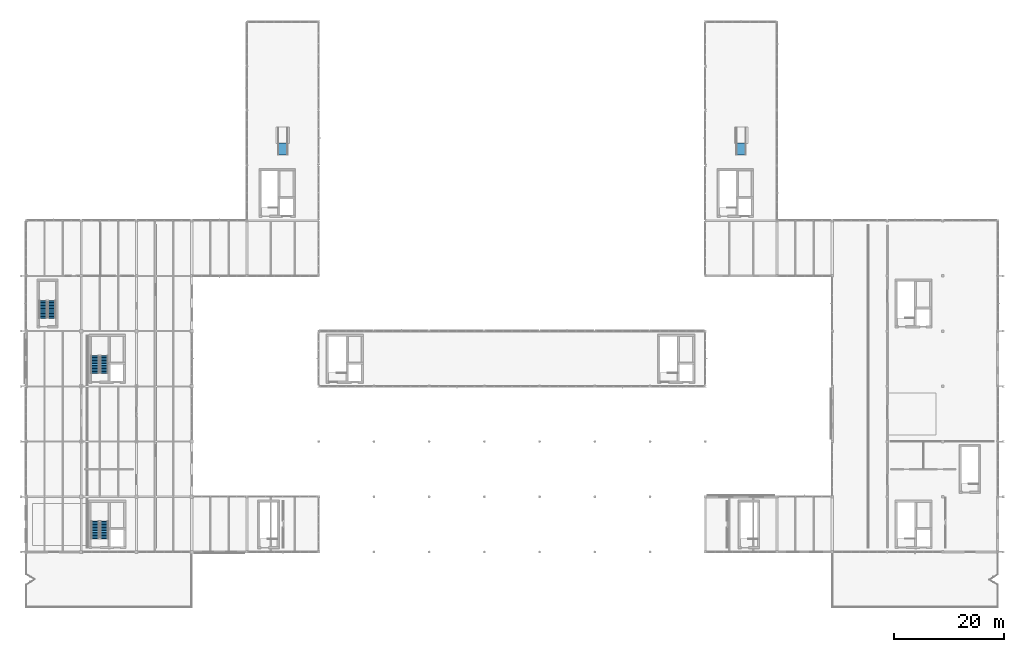
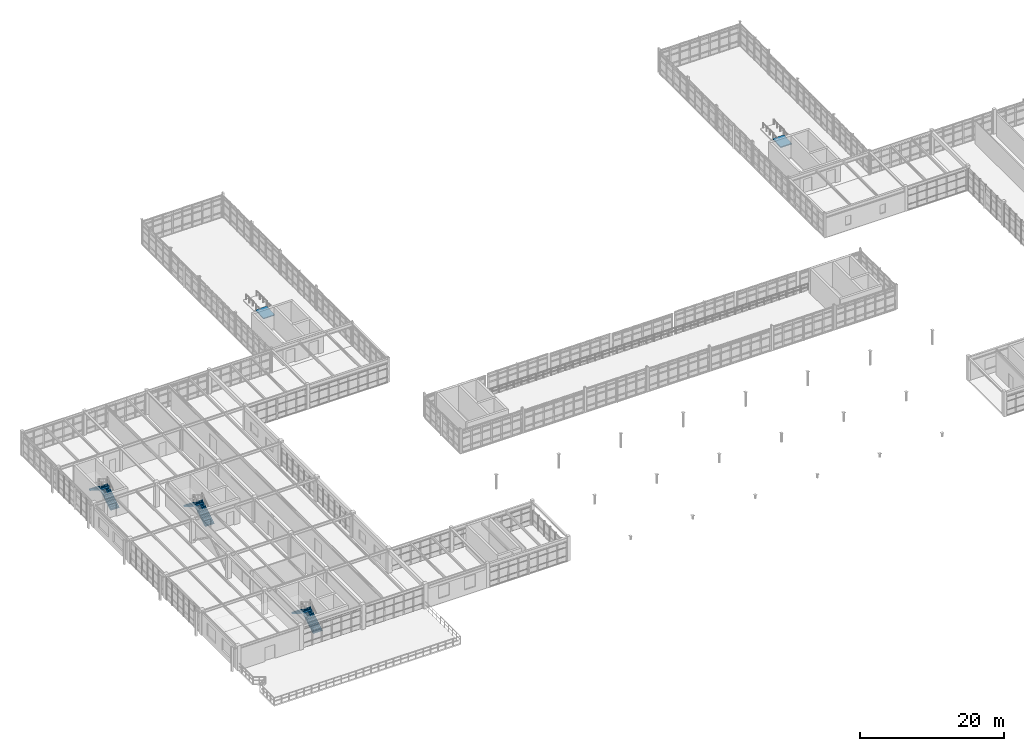
# One storey, part 111 of 122: 6 stair flights, 2 ramp flights, 5 elements without a shape of their own.
"""IFC4 building model written with IfcOpenShell, lengths in metres."""

from ifc_helpers import new_model, si_unit, direction, frame, origin, place, context, subcontext, project, spatial, polyline, outline, extrude, material, layer, layer_set, type_object, element, aggregate, save


model = new_model("IFC4")

# Units and contexts
model_context = context("Model", 3, precision=1e-05, world=origin(), true_north=direction((0.0, 1.0)))
body_context = subcontext(model_context, "Body", "Model", "MODEL_VIEW")
ifc_project = project(units=[si_unit("LENGTHUNIT", "METRE"), si_unit("AREAUNIT", "SQUARE_METRE"), si_unit("VOLUMEUNIT", "CUBIC_METRE"), si_unit("PLANEANGLEUNIT", "RADIAN"), si_unit("MASSUNIT", "GRAM", prefix="KILO"), si_unit("THERMODYNAMICTEMPERATUREUNIT", "KELVIN"), si_unit("POWERUNIT", "WATT")], contexts=[model_context])

# Site, building, storey
site_placement = place(None, origin())
site = spatial("IfcSite", under=ifc_project, at=site_placement, CompositionType="ELEMENT")
building_placement = place(site_placement, origin())
building = spatial("IfcBuilding", under=site, at=building_placement, Name="Korenveer Ferry Terminal", CompositionType="ELEMENT")
storey_placement = place(building_placement, frame((0.0, 0.0, 10.199951171875)))
storey = spatial("IfcBuildingStorey", under=building, at=storey_placement, Name="L02", CompositionType="ELEMENT", Elevation=10.199951171875)

# Stair, stair flights
ifc_material_1 = material(Name="Concrete C40/50", Category="concrete")
stair_type_1 = type_object("IfcStairType", Name="INT-ST-03", PredefinedType="HALF_TURN_STAIR", material=ifc_material_1)
stair_1_placement = place(storey_placement, frame((14.175048828125, 22.449951171875, 0.0)))
stair_1 = element("IfcStair", 1, at=stair_1_placement, inside=storey, type_object=stair_type_1, Name="L02 West Firefighting Core K1", PredefinedType="HALF_TURN_STAIR")
stair_flight_type_1 = type_object("IfcStairFlightType", Name="INT-SF-03", PredefinedType="STRAIGHT", material=ifc_material_1)
stair_flight_1_placement = place(storey_placement, frame((14.175048828125, 22.449951171875, 0.0), z_axis=(0.0, 0.0, 1.0), x_axis=(0.0, 1.0, 0.0)))
stair_flight_1 = element("IfcStairFlight", 2, at=stair_flight_1_placement, type_object=stair_flight_type_1, Name="ST01 flight 1", NumberOfRisers=12, NumberOfTreads=11, PredefinedType="STRAIGHT", RiserHeight=0.175, TreadLength=0.28, context=body_context, shape_type="SweptSolid", body=[
    extrude(outline(polyline([(-0.080078125, 0.0), (0.0, 0.0), (0.0, 0.175048828125), (0.280029296875, 0.175048828125), (0.280029296875, 0.35009765625), (0.56005859375, 0.35009765625), (0.56005859375, 0.52490234375), (0.840087890625, 0.52490234375), (0.840087890625, 0.699951171875), (1.1201171875, 0.699951171875), (1.1201171875, 0.875), (1.39990234375, 0.875), (1.39990234375, 1.050048828125), (1.679931640625, 1.050048828125), (1.679931640625, 1.22509765625), (1.9599609375, 1.22509765625), (1.9599609375, 1.39990234375), (2.239990234375, 1.39990234375), (2.239990234375, 1.574951171875), (2.52001953125, 1.574951171875), (2.52001953125, 1.75), (2.800048828125, 1.75), (2.800048828125, 1.925048828125), (3.080078125, 1.925048828125), (3.080078125, 2.10009765625), (3.14013671875, 2.10009765625), (3.14013671875, 1.9501953125), (3.080078125, 1.748291015625), (0.28271484375, 0.0), (0.0, -0.10009765625), (-0.080078125, -0.10009765625), (-0.080078125, 0.0)])), frame((0.0, 0.72509765625, 0.0), z_axis=(0.0, -1.0, 0.0), x_axis=(1.0, 0.0, 0.0)), (0.0, 0.0, 1.0), 1.449951171875),
])
stair_flight_2_placement = place(storey_placement, frame((12.52490234375, 25.530029296875, 2.10009765625), z_axis=(0.0, 0.0, 1.0), x_axis=(0.0, -1.0, 0.0)))
stair_flight_2 = element("IfcStairFlight", 3, at=stair_flight_2_placement, type_object=stair_flight_type_1, Name="ST01 flight 2", NumberOfRisers=12, NumberOfTreads=11, PredefinedType="STRAIGHT", RiserHeight=0.175, TreadLength=0.28, context=body_context, shape_type="SweptSolid", body=[
    extrude(outline(polyline([(-0.080078125, 0.0), (0.0, 0.0), (0.0, 0.175048828125), (0.280029296875, 0.175048828125), (0.280029296875, 0.35009765625), (0.56005859375, 0.35009765625), (0.56005859375, 0.52490234375), (0.840087890625, 0.52490234375), (0.840087890625, 0.699951171875), (1.1201171875, 0.699951171875), (1.1201171875, 0.875), (1.39990234375, 0.875), (1.39990234375, 1.050048828125), (1.679931640625, 1.050048828125), (1.679931640625, 1.22509765625), (1.9599609375, 1.22509765625), (1.9599609375, 1.39990234375), (2.239990234375, 1.39990234375), (2.239990234375, 1.574951171875), (2.52001953125, 1.574951171875), (2.52001953125, 1.75), (2.800048828125, 1.75), (2.800048828125, 1.925048828125), (3.080078125, 1.925048828125), (3.080078125, 2.10009765625), (3.14013671875, 2.10009765625), (3.14013671875, 1.9501953125), (3.080078125, 1.748291015625), (0.28271484375, 0.0), (0.0, -0.10009765625), (-0.080078125, -0.10009765625), (-0.080078125, 0.0)])), frame((0.0, 0.72509765625, 0.0), z_axis=(0.0, -1.0, 0.0), x_axis=(1.0, 0.0, 0.0)), (0.0, 0.0, 1.0), 1.449951171875),
])
aggregate(stair_1, [stair_flight_1, stair_flight_2])

stair_2_placement = place(storey_placement, frame((14.135009765625, 52.409912109375, 0.0)))
stair_2 = element("IfcStair", 4, at=stair_2_placement, inside=storey, type_object=stair_type_1, Name="L02 West Operations Core K2", PredefinedType="HALF_TURN_STAIR")
stair_flight_3_placement = place(storey_placement, frame((14.135009765625, 52.409912109375, 0.0), z_axis=(0.0, 0.0, 1.0), x_axis=(0.0, 1.0, 0.0)))
stair_flight_3 = element("IfcStairFlight", 5, at=stair_flight_3_placement, type_object=stair_flight_type_1, Name="ST02 flight 1", NumberOfRisers=12, NumberOfTreads=11, PredefinedType="STRAIGHT", RiserHeight=0.175, TreadLength=0.28, context=body_context, shape_type="SweptSolid", body=[
    extrude(outline(polyline([(-0.080078125, 0.0), (0.0, 0.0), (0.0, 0.175048828125), (0.280029296875, 0.175048828125), (0.280029296875, 0.35009765625), (0.56005859375, 0.35009765625), (0.56005859375, 0.52490234375), (0.840087890625, 0.52490234375), (0.840087890625, 0.699951171875), (1.1201171875, 0.699951171875), (1.1201171875, 0.875), (1.39990234375, 0.875), (1.39990234375, 1.050048828125), (1.679931640625, 1.050048828125), (1.679931640625, 1.22509765625), (1.9599609375, 1.22509765625), (1.9599609375, 1.39990234375), (2.239990234375, 1.39990234375), (2.239990234375, 1.574951171875), (2.52001953125, 1.574951171875), (2.52001953125, 1.75), (2.800048828125, 1.75), (2.800048828125, 1.925048828125), (3.080078125, 1.925048828125), (3.080078125, 2.10009765625), (3.14013671875, 2.10009765625), (3.14013671875, 1.9501953125), (3.080078125, 1.748291015625), (0.28271484375, 0.0), (0.0, -0.10009765625), (-0.080078125, -0.10009765625), (-0.080078125, 0.0)])), frame((0.0, 0.72509765625, 0.0), z_axis=(0.0, -1.0, 0.0), x_axis=(1.0, 0.0, 0.0)), (0.0, 0.0, 1.0), 1.449951171875),
])
stair_flight_4_placement = place(storey_placement, frame((12.485107421875, 55.489990234375, 2.10009765625), z_axis=(0.0, 0.0, 1.0), x_axis=(0.0, -1.0, 0.0)))
stair_flight_4 = element("IfcStairFlight", 6, at=stair_flight_4_placement, type_object=stair_flight_type_1, Name="ST02 flight 2", NumberOfRisers=12, NumberOfTreads=11, PredefinedType="STRAIGHT", RiserHeight=0.175, TreadLength=0.28, context=body_context, shape_type="SweptSolid", body=[
    extrude(outline(polyline([(-0.080078125, 0.0), (0.0, 0.0), (0.0, 0.175048828125), (0.280029296875, 0.175048828125), (0.280029296875, 0.35009765625), (0.56005859375, 0.35009765625), (0.56005859375, 0.52490234375), (0.840087890625, 0.52490234375), (0.840087890625, 0.699951171875), (1.1201171875, 0.699951171875), (1.1201171875, 0.875), (1.39990234375, 0.875), (1.39990234375, 1.050048828125), (1.679931640625, 1.050048828125), (1.679931640625, 1.22509765625), (1.9599609375, 1.22509765625), (1.9599609375, 1.39990234375), (2.239990234375, 1.39990234375), (2.239990234375, 1.574951171875), (2.52001953125, 1.574951171875), (2.52001953125, 1.75), (2.800048828125, 1.75), (2.800048828125, 1.925048828125), (3.080078125, 1.925048828125), (3.080078125, 2.10009765625), (3.14013671875, 2.10009765625), (3.14013671875, 1.9501953125), (3.080078125, 1.748291015625), (0.28271484375, 0.0), (0.0, -0.10009765625), (-0.080078125, -0.10009765625), (-0.080078125, 0.0)])), frame((0.0, 0.72509765625, 0.0), z_axis=(0.0, -1.0, 0.0), x_axis=(1.0, 0.0, 0.0)), (0.0, 0.0, 1.0), 1.449951171875),
])
aggregate(stair_2, [stair_flight_3, stair_flight_4])

stair_type_2 = type_object("IfcStairType", Name="INT-ST-09", PredefinedType="HALF_TURN_STAIR", material=ifc_material_1)
stair_3_placement = place(storey_placement, frame((4.68994140625, 62.3798828125, 0.0)))
stair_3 = element("IfcStair", 7, at=stair_3_placement, inside=storey, type_object=stair_type_2, Name="L02 Harbourmaster North Stair Core K11", PredefinedType="HALF_TURN_STAIR")
stair_flight_type_2 = type_object("IfcStairFlightType", Name="INT-SF-09", PredefinedType="STRAIGHT", material=ifc_material_1)
stair_flight_5_placement = place(storey_placement, frame((4.68994140625, 62.3798828125, 0.0), z_axis=(0.0, 0.0, 1.0), x_axis=(0.0, 1.0, 0.0)))
stair_flight_5 = element("IfcStairFlight", 8, at=stair_flight_5_placement, type_object=stair_flight_type_2, Name="ST11 flight 1", NumberOfRisers=12, NumberOfTreads=11, PredefinedType="STRAIGHT", RiserHeight=0.175, TreadLength=0.28, context=body_context, shape_type="SweptSolid", body=[
    extrude(outline(polyline([(-0.080078125, 0.0), (0.0, 0.0), (0.0, 0.175048828125), (0.280029296875, 0.175048828125), (0.280029296875, 0.35009765625), (0.56005859375, 0.35009765625), (0.56005859375, 0.52490234375), (0.840087890625, 0.52490234375), (0.840087890625, 0.699951171875), (1.1201171875, 0.699951171875), (1.1201171875, 0.875), (1.39990234375, 0.875), (1.39990234375, 1.050048828125), (1.679931640625, 1.050048828125), (1.679931640625, 1.22509765625), (1.9599609375, 1.22509765625), (1.9599609375, 1.39990234375), (2.239990234375, 1.39990234375), (2.239990234375, 1.574951171875), (2.52001953125, 1.574951171875), (2.52001953125, 1.75), (2.800048828125, 1.75), (2.800048828125, 1.925048828125), (3.080078125, 1.925048828125), (3.080078125, 2.10009765625), (3.14013671875, 2.10009765625), (3.14013671875, 1.9501953125), (3.080078125, 1.748291015625), (0.28271484375, 0.0), (0.0, -0.10009765625), (-0.080078125, -0.10009765625), (-0.080078125, 0.0)])), frame((0.0, 0.7099609375, 0.0), z_axis=(0.0, -1.0, 0.0), x_axis=(1.0, 0.0, 0.0)), (0.0, 0.0, 1.0), 1.419921875),
])
stair_flight_6_placement = place(storey_placement, frame((3.070068359375, 65.4599609375, 2.10009765625), z_axis=(0.0, 0.0, 1.0), x_axis=(0.0, -1.0, 0.0)))
stair_flight_6 = element("IfcStairFlight", 9, at=stair_flight_6_placement, type_object=stair_flight_type_2, Name="ST11 flight 2", NumberOfRisers=12, NumberOfTreads=11, PredefinedType="STRAIGHT", RiserHeight=0.175, TreadLength=0.28, context=body_context, shape_type="SweptSolid", body=[
    extrude(outline(polyline([(-0.080078125, 0.0), (0.0, 0.0), (0.0, 0.175048828125), (0.280029296875, 0.175048828125), (0.280029296875, 0.35009765625), (0.56005859375, 0.35009765625), (0.56005859375, 0.52490234375), (0.840087890625, 0.52490234375), (0.840087890625, 0.699951171875), (1.1201171875, 0.699951171875), (1.1201171875, 0.875), (1.39990234375, 0.875), (1.39990234375, 1.050048828125), (1.679931640625, 1.050048828125), (1.679931640625, 1.22509765625), (1.9599609375, 1.22509765625), (1.9599609375, 1.39990234375), (2.239990234375, 1.39990234375), (2.239990234375, 1.574951171875), (2.52001953125, 1.574951171875), (2.52001953125, 1.75), (2.800048828125, 1.75), (2.800048828125, 1.925048828125), (3.080078125, 1.925048828125), (3.080078125, 2.10009765625), (3.14013671875, 2.10009765625), (3.14013671875, 1.9501953125), (3.080078125, 1.748291015625), (0.28271484375, 0.0), (0.0, -0.10009765625), (-0.080078125, -0.10009765625), (-0.080078125, 0.0)])), frame((0.0, 0.7099609375, 0.0), z_axis=(0.0, -1.0, 0.0), x_axis=(1.0, 0.0, 0.0)), (0.0, 0.0, 1.0), 1.419921875),
])
aggregate(stair_3, [stair_flight_5, stair_flight_6])

# Ramp, ramp flight
ifc_material_2 = material(Name="Concrete C35/45", Category="concrete")
ramp_type = type_object("IfcRampType", Name="INT-RMP-ACC", PredefinedType="STRAIGHT_RUN_RAMP", material=ifc_material_2)
ramp_1_placement = place(storey_placement, frame((46.5, 92.0, 0.0)))
ramp_1 = element("IfcRamp", 10, at=ramp_1_placement, inside=storey, type_object=ramp_type, Name="West Boarding Bridge Accessible Ramp", PredefinedType="STRAIGHT_RUN_RAMP")
ifc_layer = layer(ifc_material_2, 0.179931640625)
ifc_layer_set = layer_set([ifc_layer], Name="Concrete C35/45")
ramp_flight_type = type_object("IfcRampFlightType", Name="INT-RMF-ACC", PredefinedType="STRAIGHT", material=ifc_layer_set)
ramp_flight_1_placement = place(storey_placement, frame((46.5, 92.0, 0.0), z_axis=(0.0, 0.0, 1.0), x_axis=(0.0, 1.0, 0.0)))
ramp_flight_1 = element("IfcRampFlight", 11, at=ramp_flight_1_placement, type_object=ramp_flight_type, Name="West Boarding Bridge Accessible Ramp flight", PredefinedType="STRAIGHT", context=body_context, shape_type="SweptSolid", body=[
    extrude(outline(polyline([(-0.080078125, 0.0), (0.0, 0.0), (2.0, 0.16015625), (2.080078125, 0.16015625), (2.080078125, 0.000244140625), (2.0, 0.000244140625), (0.0, -0.159912109375), (-0.080078125, -0.159912109375), (-0.080078125, 0.0)])), frame((0.0, 0.89990234375, 0.0), z_axis=(0.0, -1.0, 0.0), x_axis=(1.0, 0.0, 0.0)), (0.0, 0.0, 1.0), 1.800048828125),
])
aggregate(ramp_1, [ramp_flight_1])

ramp_2_placement = place(storey_placement, frame((129.5, 92.0, 0.0)))
ramp_2 = element("IfcRamp", 12, at=ramp_2_placement, inside=storey, type_object=ramp_type, Name="East Boarding Bridge Accessible Ramp", PredefinedType="STRAIGHT_RUN_RAMP")
ramp_flight_2_placement = place(storey_placement, frame((129.5, 92.0, 0.0), z_axis=(0.0, 0.0, 1.0), x_axis=(0.0, 1.0, 0.0)))
ramp_flight_2 = element("IfcRampFlight", 13, at=ramp_flight_2_placement, type_object=ramp_flight_type, Name="East Boarding Bridge Accessible Ramp flight", PredefinedType="STRAIGHT", context=body_context, shape_type="SweptSolid", body=[
    extrude(outline(polyline([(-0.080078125, 0.0), (0.0, 0.0), (2.0, 0.16015625), (2.080078125, 0.16015625), (2.080078125, 0.000244140625), (2.0, 0.000244140625), (0.0, -0.159912109375), (-0.080078125, -0.159912109375), (-0.080078125, 0.0)])), frame((0.0, 0.89990234375, 0.0), z_axis=(0.0, -1.0, 0.0), x_axis=(1.0, 0.0, 0.0)), (0.0, 0.0, 1.0), 1.800048828125),
])
aggregate(ramp_2, [ramp_flight_2])

save(model, "model.ifc")
